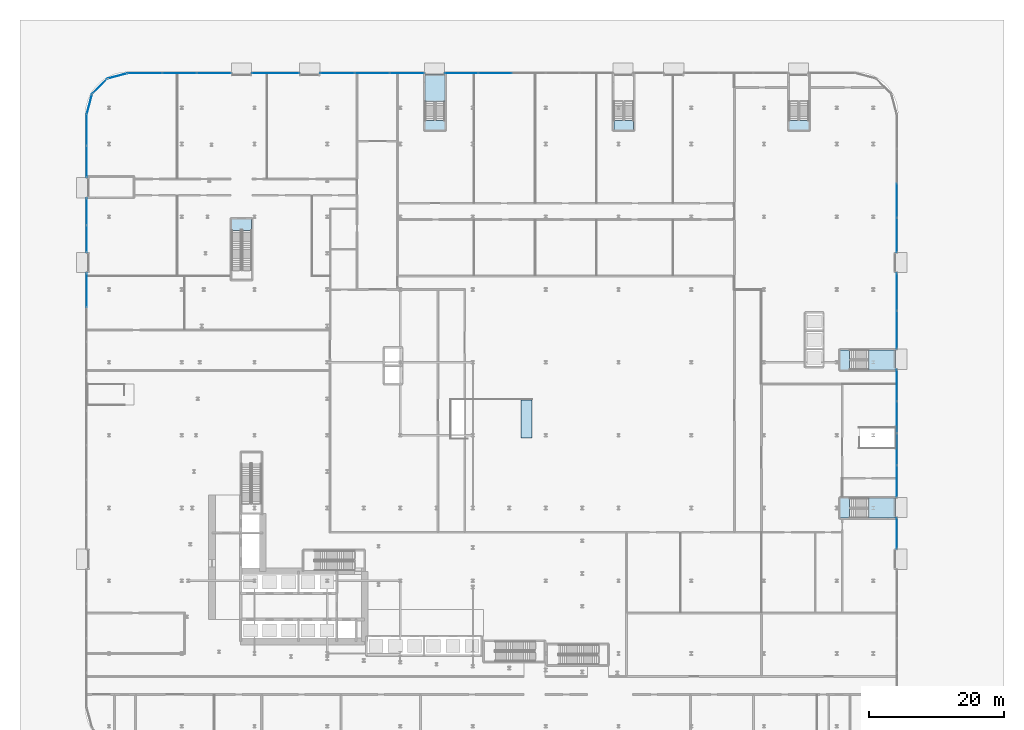
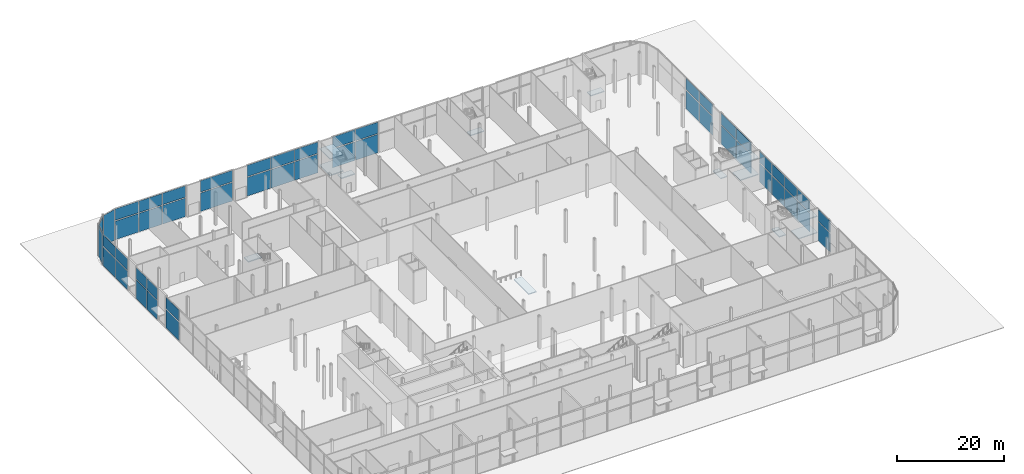
# One storey, part 21 of 46: 49 plates, 13 slabs, 20 elements without a shape of their own.
"""IFC4 building model written with IfcOpenShell, lengths in metres."""

from ifc_helpers import new_model, si_unit, direction, frame, origin, origin_2d, place, context, subcontext, project, spatial, polyline, rectangle, outline, extrude, material, layer, layer_set, type_object, element, aggregate, save


model = new_model("IFC4")

# Units and contexts
model_context = context("Model", 3, precision=1e-05, world=origin(), true_north=direction((0.0, 1.0)))
body_context = subcontext(model_context, "Body", "Model", "MODEL_VIEW")
ifc_project = project(units=[si_unit("LENGTHUNIT", "METRE"), si_unit("AREAUNIT", "SQUARE_METRE"), si_unit("VOLUMEUNIT", "CUBIC_METRE"), si_unit("PLANEANGLEUNIT", "RADIAN"), si_unit("MASSUNIT", "GRAM", prefix="KILO")], contexts=[model_context])

# Site, building, storey
site_placement = place(None, origin())
site = spatial("IfcSite", under=ifc_project, at=site_placement, CompositionType="ELEMENT")
building_placement = place(site_placement, origin())
building = spatial("IfcBuilding", under=site, at=building_placement, Name="Kheshtan School and Residences Tower", CompositionType="ELEMENT")
storey_placement = place(building_placement, origin())
storey = spatial("IfcBuildingStorey", under=building, at=storey_placement, Name="L00", CompositionType="ELEMENT", Elevation=0.0)

# Curtain wall, plate
ifc_material_1 = material(Name="Clear low-e glass in thermally broken aluminium frame", Category="aluminium")
ifc_layer_1 = layer(ifc_material_1, 0.300048828125)
ifc_layer_set_1 = layer_set([ifc_layer_1], Name="Curtain wall CW-A")
curtain_wall_type = type_object("IfcCurtainWallType", Name="Curtain wall CW-A", PredefinedType="NOTDEFINED", material=ifc_layer_set_1)
curtain_wall_1_placement = place(storey_placement, origin())
curtain_wall_1 = element("IfcCurtainWall", 1, at=curtain_wall_1_placement, inside=storey, type_object=curtain_wall_type, Name="Curtain wall CWA1", PredefinedType="NOTDEFINED")
ifc_layer_2 = layer(ifc_material_1, 0.0439453125)
ifc_layer_set_2 = layer_set([ifc_layer_2], Name="CW-A glass panel")
plate_type = type_object("IfcPlateType", Name="CW-A glass panel", PredefinedType="CURTAIN_PANEL", material=ifc_layer_set_2)
plate_1_placement = place(storey_placement, frame((12.305419921875, 105.52587890625, 0.0), z_axis=(0.0, 0.0, 1.0), x_axis=(0.258864833085, 0.965913556273, 0.0)))
plate_1 = element("IfcPlate", 2, at=plate_1_placement, type_object=plate_type, Name="CWA1 panel 1.1", PredefinedType="CURTAIN_PANEL", context=body_context, shape_type="SweptSolid", body=[
    extrude(rectangle(XDim=2.955810546875, YDim=0.0439453125, at=origin_2d()), origin(), (0.0, 0.0, 1.0), 7.050048828125),
])
aggregate(curtain_wall_1, [plate_1])

curtain_wall_2_placement = place(storey_placement, origin())
curtain_wall_2 = element("IfcCurtainWall", 3, at=curtain_wall_2_placement, inside=storey, type_object=curtain_wall_type, Name="Curtain wall CWA2", PredefinedType="NOTDEFINED")
plate_2_placement = place(storey_placement, frame((13.831298828125, 108.168701171875, 0.0), z_axis=(0.0, 0.0, 1.0), x_axis=(0.707106781187, 0.707106781187, 0.0)))
plate_2 = element("IfcPlate", 4, at=plate_2_placement, type_object=plate_type, Name="CWA2 panel 1.1", PredefinedType="CURTAIN_PANEL", context=body_context, shape_type="SweptSolid", body=[
    extrude(rectangle(XDim=2.95556640625, YDim=0.0439453125, at=origin_2d()), origin(), (0.0, 0.0, 1.0), 7.050048828125),
])
aggregate(curtain_wall_2, [plate_2])

curtain_wall_3_placement = place(storey_placement, origin())
curtain_wall_3 = element("IfcCurtainWall", 5, at=curtain_wall_3_placement, inside=storey, type_object=curtain_wall_type, Name="Curtain wall CWA3", PredefinedType="NOTDEFINED")
plate_3_placement = place(storey_placement, frame((16.47412109375, 109.694580078125, 0.0), z_axis=(0.0, 0.0, 1.0), x_axis=(0.965913556273, 0.258864833085, 0.0)))
plate_3 = element("IfcPlate", 6, at=plate_3_placement, type_object=plate_type, Name="CWA3 panel 1.1", PredefinedType="CURTAIN_PANEL", context=body_context, shape_type="SweptSolid", body=[
    extrude(rectangle(XDim=2.955810546875, YDim=0.0439453125, at=origin_2d()), origin(), (0.0, 0.0, 1.0), 7.050048828125),
])
aggregate(curtain_wall_3, [plate_3])

# Curtain wall, plates
curtain_wall_4_placement = place(storey_placement, origin())
curtain_wall_4 = element("IfcCurtainWall", 7, at=curtain_wall_4_placement, inside=storey, type_object=curtain_wall_type, Name="Curtain wall CWA4", PredefinedType="NOTDEFINED")
plate_4_placement = place(storey_placement, frame((20.531494140625, 110.10009765625, 0.0), z_axis=(0.0, 0.0, 1.0), x_axis=(1.0, 0.0, 0.0)))
plate_4 = element("IfcPlate", 8, at=plate_4_placement, type_object=plate_type, Name="CWA4 panel 1.1", PredefinedType="CURTAIN_PANEL", context=body_context, shape_type="SweptSolid", body=[
    extrude(rectangle(XDim=5.112060546875, YDim=0.0439453125, at=origin_2d()), origin(), (0.0, 0.0, 1.0), 4.25),
])
plate_5_placement = place(storey_placement, frame((20.531494140625, 110.10009765625, 4.449951171875), z_axis=(0.0, 0.0, 1.0), x_axis=(1.0, 0.0, 0.0)))
plate_5 = element("IfcPlate", 9, at=plate_5_placement, type_object=plate_type, Name="CWA4 panel 1.2", PredefinedType="CURTAIN_PANEL", context=body_context, shape_type="SweptSolid", body=[
    extrude(rectangle(XDim=5.112060546875, YDim=0.0439453125, at=origin_2d()), origin(), (0.0, 0.0, 1.0), 2.60009765625),
])
plate_6_placement = place(storey_placement, frame((25.6875, 110.10009765625, 0.0), z_axis=(0.0, 0.0, 1.0), x_axis=(1.0, 0.0, 0.0)))
plate_6 = element("IfcPlate", 10, at=plate_6_placement, type_object=plate_type, Name="CWA4 panel 2.1", PredefinedType="CURTAIN_PANEL", context=body_context, shape_type="SweptSolid", body=[
    extrude(rectangle(XDim=5.050048828125, YDim=0.0439453125, at=origin_2d()), origin(), (0.0, 0.0, 1.0), 4.25),
])
plate_7_placement = place(storey_placement, frame((25.6875, 110.10009765625, 4.449951171875), z_axis=(0.0, 0.0, 1.0), x_axis=(1.0, 0.0, 0.0)))
plate_7 = element("IfcPlate", 11, at=plate_7_placement, type_object=plate_type, Name="CWA4 panel 2.2", PredefinedType="CURTAIN_PANEL", context=body_context, shape_type="SweptSolid", body=[
    extrude(rectangle(XDim=5.050048828125, YDim=0.0439453125, at=origin_2d()), origin(), (0.0, 0.0, 1.0), 2.60009765625),
])
plate_8_placement = place(storey_placement, frame((30.793701171875, 110.10009765625, 0.0), z_axis=(0.0, 0.0, 1.0), x_axis=(1.0, 0.0, 0.0)))
plate_8 = element("IfcPlate", 12, at=plate_8_placement, type_object=plate_type, Name="CWA4 panel 3.1", PredefinedType="CURTAIN_PANEL", context=body_context, shape_type="SweptSolid", body=[
    extrude(rectangle(XDim=5.012451171875, YDim=0.0439453125, at=origin_2d()), origin(), (0.0, 0.0, 1.0), 4.25),
])
plate_9_placement = place(storey_placement, frame((30.793701171875, 110.10009765625, 4.449951171875), z_axis=(0.0, 0.0, 1.0), x_axis=(1.0, 0.0, 0.0)))
plate_9 = element("IfcPlate", 13, at=plate_9_placement, type_object=plate_type, Name="CWA4 panel 3.2", PredefinedType="CURTAIN_PANEL", context=body_context, shape_type="SweptSolid", body=[
    extrude(rectangle(XDim=5.012451171875, YDim=0.0439453125, at=origin_2d()), origin(), (0.0, 0.0, 1.0), 2.60009765625),
])
aggregate(curtain_wall_4, [plate_4, plate_5, plate_6, plate_7, plate_8, plate_9])

curtain_wall_5_placement = place(storey_placement, origin())
curtain_wall_5 = element("IfcCurtainWall", 14, at=curtain_wall_5_placement, inside=storey, type_object=curtain_wall_type, Name="Curtain wall CWA4a", PredefinedType="NOTDEFINED")
plate_10_placement = place(storey_placement, frame((39.9375, 110.10009765625, 0.0), z_axis=(0.0, 0.0, 1.0), x_axis=(1.0, 0.0, 0.0)))
plate_10 = element("IfcPlate", 15, at=plate_10_placement, type_object=plate_type, Name="CWA4a panel 1.1", PredefinedType="CURTAIN_PANEL", context=body_context, shape_type="SweptSolid", body=[
    extrude(rectangle(XDim=6.97509765625, YDim=0.0439453125, at=origin_2d()), origin(), (0.0, 0.0, 1.0), 4.25),
])
plate_11_placement = place(storey_placement, frame((39.9375, 110.10009765625, 4.449951171875), z_axis=(0.0, 0.0, 1.0), x_axis=(1.0, 0.0, 0.0)))
plate_11 = element("IfcPlate", 16, at=plate_11_placement, type_object=plate_type, Name="CWA4a panel 1.2", PredefinedType="CURTAIN_PANEL", context=body_context, shape_type="SweptSolid", body=[
    extrude(rectangle(XDim=6.97509765625, YDim=0.0439453125, at=origin_2d()), origin(), (0.0, 0.0, 1.0), 2.60009765625),
])
aggregate(curtain_wall_5, [plate_10, plate_11])

curtain_wall_6_placement = place(storey_placement, origin())
curtain_wall_6 = element("IfcCurtainWall", 17, at=curtain_wall_6_placement, inside=storey, type_object=curtain_wall_type, Name="Curtain wall CWA4b", PredefinedType="NOTDEFINED")
plate_12_placement = place(storey_placement, frame((49.100341796875, 110.10009765625, 0.0), z_axis=(0.0, 0.0, 1.0), x_axis=(1.0, 0.0, 0.0)))
plate_12 = element("IfcPlate", 18, at=plate_12_placement, type_object=plate_type, Name="CWA4b panel 1.1", PredefinedType="CURTAIN_PANEL", context=body_context, shape_type="SweptSolid", body=[
    extrude(rectangle(XDim=5.05078125, YDim=0.0439453125, at=origin_2d()), origin(), (0.0, 0.0, 1.0), 4.25),
])
plate_13_placement = place(storey_placement, frame((49.100341796875, 110.10009765625, 4.449951171875), z_axis=(0.0, 0.0, 1.0), x_axis=(1.0, 0.0, 0.0)))
plate_13 = element("IfcPlate", 19, at=plate_13_placement, type_object=plate_type, Name="CWA4b panel 1.2", PredefinedType="CURTAIN_PANEL", context=body_context, shape_type="SweptSolid", body=[
    extrude(rectangle(XDim=5.05078125, YDim=0.0439453125, at=origin_2d()), origin(), (0.0, 0.0, 1.0), 2.60009765625),
])
plate_14_placement = place(storey_placement, frame((54.2451171875, 110.10009765625, 0.0), z_axis=(0.0, 0.0, 1.0), x_axis=(1.0, 0.0, 0.0)))
plate_14 = element("IfcPlate", 20, at=plate_14_placement, type_object=plate_type, Name="CWA4b panel 2.1", PredefinedType="CURTAIN_PANEL", context=body_context, shape_type="SweptSolid", body=[
    extrude(rectangle(XDim=5.08837890625, YDim=0.0439453125, at=origin_2d()), origin(), (0.0, 0.0, 1.0), 4.25),
])
plate_15_placement = place(storey_placement, frame((54.2451171875, 110.10009765625, 4.449951171875), z_axis=(0.0, 0.0, 1.0), x_axis=(1.0, 0.0, 0.0)))
plate_15 = element("IfcPlate", 21, at=plate_15_placement, type_object=plate_type, Name="CWA4b panel 2.2", PredefinedType="CURTAIN_PANEL", context=body_context, shape_type="SweptSolid", body=[
    extrude(rectangle(XDim=5.08837890625, YDim=0.0439453125, at=origin_2d()), origin(), (0.0, 0.0, 1.0), 2.60009765625),
])
plate_16_placement = place(storey_placement, frame((59.3896484375, 110.10009765625, 0.0), z_axis=(0.0, 0.0, 1.0), x_axis=(1.0, 0.0, 0.0)))
plate_16 = element("IfcPlate", 22, at=plate_16_placement, type_object=plate_type, Name="CWA4b panel 3.1", PredefinedType="CURTAIN_PANEL", context=body_context, shape_type="SweptSolid", body=[
    extrude(rectangle(XDim=5.05078125, YDim=0.0439453125, at=origin_2d()), origin(), (0.0, 0.0, 1.0), 4.25),
])
plate_17_placement = place(storey_placement, frame((59.3896484375, 110.10009765625, 4.449951171875), z_axis=(0.0, 0.0, 1.0), x_axis=(1.0, 0.0, 0.0)))
plate_17 = element("IfcPlate", 23, at=plate_17_placement, type_object=plate_type, Name="CWA4b panel 3.2", PredefinedType="CURTAIN_PANEL", context=body_context, shape_type="SweptSolid", body=[
    extrude(rectangle(XDim=5.05078125, YDim=0.0439453125, at=origin_2d()), origin(), (0.0, 0.0, 1.0), 2.60009765625),
])
aggregate(curtain_wall_6, [plate_12, plate_13, plate_14, plate_15, plate_16, plate_17])

curtain_wall_7_placement = place(storey_placement, origin())
curtain_wall_7 = element("IfcCurtainWall", 24, at=curtain_wall_7_placement, inside=storey, type_object=curtain_wall_type, Name="Curtain wall CWA4c", PredefinedType="NOTDEFINED")
plate_18_placement = place(storey_placement, frame((67.5087890625, 110.10009765625, 0.0), z_axis=(0.0, 0.0, 1.0), x_axis=(1.0, 0.0, 0.0)))
plate_18 = element("IfcPlate", 25, at=plate_18_placement, type_object=plate_type, Name="CWA4c panel 1.1", PredefinedType="CURTAIN_PANEL", context=body_context, shape_type="SweptSolid", body=[
    extrude(rectangle(XDim=4.887451171875, YDim=0.0439453125, at=origin_2d()), origin(), (0.0, 0.0, 1.0), 4.25),
])
plate_19_placement = place(storey_placement, frame((67.5087890625, 110.10009765625, 4.449951171875), z_axis=(0.0, 0.0, 1.0), x_axis=(1.0, 0.0, 0.0)))
plate_19 = element("IfcPlate", 26, at=plate_19_placement, type_object=plate_type, Name="CWA4c panel 1.2", PredefinedType="CURTAIN_PANEL", context=body_context, shape_type="SweptSolid", body=[
    extrude(rectangle(XDim=4.887451171875, YDim=0.0439453125, at=origin_2d()), origin(), (0.0, 0.0, 1.0), 2.60009765625),
])
plate_20_placement = place(storey_placement, frame((72.489990234375, 110.10009765625, 0.0), z_axis=(0.0, 0.0, 1.0), x_axis=(1.0, 0.0, 0.0)))
plate_20 = element("IfcPlate", 27, at=plate_20_placement, type_object=plate_type, Name="CWA4c panel 2.1", PredefinedType="CURTAIN_PANEL", context=body_context, shape_type="SweptSolid", body=[
    extrude(rectangle(XDim=4.925048828125, YDim=0.0439453125, at=origin_2d()), origin(), (0.0, 0.0, 1.0), 4.25),
])
plate_21_placement = place(storey_placement, frame((72.489990234375, 110.10009765625, 4.449951171875), z_axis=(0.0, 0.0, 1.0), x_axis=(1.0, 0.0, 0.0)))
plate_21 = element("IfcPlate", 28, at=plate_21_placement, type_object=plate_type, Name="CWA4c panel 2.2", PredefinedType="CURTAIN_PANEL", context=body_context, shape_type="SweptSolid", body=[
    extrude(rectangle(XDim=4.925048828125, YDim=0.0439453125, at=origin_2d()), origin(), (0.0, 0.0, 1.0), 2.60009765625),
])
aggregate(curtain_wall_7, [plate_18, plate_19, plate_20, plate_21])

curtain_wall_8_placement = place(storey_placement, origin())
curtain_wall_8 = element("IfcCurtainWall", 29, at=curtain_wall_8_placement, inside=storey, type_object=curtain_wall_type, Name="Curtain wall CWA8", PredefinedType="NOTDEFINED")
plate_22_placement = place(storey_placement, frame((132.10009765625, 91.1875, 0.0), z_axis=(0.0, 0.0, 1.0), x_axis=(0.0, -1.0, 0.0)))
plate_22 = element("IfcPlate", 30, at=plate_22_placement, type_object=plate_type, Name="CWA8 panel 3.1", PredefinedType="CURTAIN_PANEL", context=body_context, shape_type="SweptSolid", body=[
    extrude(rectangle(XDim=5.050048828125, YDim=0.0439453125, at=origin_2d()), origin(), (0.0, 0.0, 1.0), 4.25),
])
plate_23_placement = place(storey_placement, frame((132.10009765625, 91.1875, 4.449951171875), z_axis=(0.0, 0.0, 1.0), x_axis=(0.0, -1.0, 0.0)))
plate_23 = element("IfcPlate", 31, at=plate_23_placement, type_object=plate_type, Name="CWA8 panel 3.2", PredefinedType="CURTAIN_PANEL", context=body_context, shape_type="SweptSolid", body=[
    extrude(rectangle(XDim=5.050048828125, YDim=0.0439453125, at=origin_2d()), origin(), (0.0, 0.0, 1.0), 2.60009765625),
])
plate_24_placement = place(storey_placement, frame((132.10009765625, 86.081298828125, 0.0), z_axis=(0.0, 0.0, 1.0), x_axis=(0.0, -1.0, 0.0)))
plate_24 = element("IfcPlate", 32, at=plate_24_placement, type_object=plate_type, Name="CWA8 panel 4.1", PredefinedType="CURTAIN_PANEL", context=body_context, shape_type="SweptSolid", body=[
    extrude(rectangle(XDim=5.012451171875, YDim=0.0439453125, at=origin_2d()), origin(), (0.0, 0.0, 1.0), 4.25),
])
plate_25_placement = place(storey_placement, frame((132.10009765625, 86.081298828125, 4.449951171875), z_axis=(0.0, 0.0, 1.0), x_axis=(0.0, -1.0, 0.0)))
plate_25 = element("IfcPlate", 33, at=plate_25_placement, type_object=plate_type, Name="CWA8 panel 4.2", PredefinedType="CURTAIN_PANEL", context=body_context, shape_type="SweptSolid", body=[
    extrude(rectangle(XDim=5.012451171875, YDim=0.0439453125, at=origin_2d()), origin(), (0.0, 0.0, 1.0), 2.60009765625),
])
aggregate(curtain_wall_8, [plate_22, plate_23, plate_24, plate_25])

curtain_wall_9_placement = place(storey_placement, origin())
curtain_wall_9 = element("IfcCurtainWall", 34, at=curtain_wall_9_placement, inside=storey, type_object=curtain_wall_type, Name="Curtain wall CWA8a", PredefinedType="NOTDEFINED")
plate_26_placement = place(storey_placement, frame((132.10009765625, 77.646240234375, 0.0), z_axis=(0.0, 0.0, 1.0), x_axis=(0.0, -1.0, 0.0)))
plate_26 = element("IfcPlate", 35, at=plate_26_placement, type_object=plate_type, Name="CWA8a panel 1.1", PredefinedType="CURTAIN_PANEL", context=body_context, shape_type="SweptSolid", body=[
    extrude(rectangle(XDim=5.5576171875, YDim=0.0439453125, at=origin_2d()), origin(), (0.0, 0.0, 1.0), 4.25),
])
plate_27_placement = place(storey_placement, frame((132.10009765625, 77.646240234375, 4.449951171875), z_axis=(0.0, 0.0, 1.0), x_axis=(0.0, -1.0, 0.0)))
plate_27 = element("IfcPlate", 36, at=plate_27_placement, type_object=plate_type, Name="CWA8a panel 1.2", PredefinedType="CURTAIN_PANEL", context=body_context, shape_type="SweptSolid", body=[
    extrude(rectangle(XDim=5.5576171875, YDim=0.0439453125, at=origin_2d()), origin(), (0.0, 0.0, 1.0), 2.60009765625),
])
plate_28_placement = place(storey_placement, frame((132.10009765625, 72.013671875, 0.0), z_axis=(0.0, 0.0, 1.0), x_axis=(0.0, -1.0, 0.0)))
plate_28 = element("IfcPlate", 37, at=plate_28_placement, type_object=plate_type, Name="CWA8a panel 2.1", PredefinedType="CURTAIN_PANEL", context=body_context, shape_type="SweptSolid", body=[
    extrude(rectangle(XDim=5.5576171875, YDim=0.0439453125, at=origin_2d()), origin(), (0.0, 0.0, 1.0), 4.25),
])
plate_29_placement = place(storey_placement, frame((132.10009765625, 72.013671875, 4.449951171875), z_axis=(0.0, 0.0, 1.0), x_axis=(0.0, -1.0, 0.0)))
plate_29 = element("IfcPlate", 38, at=plate_29_placement, type_object=plate_type, Name="CWA8a panel 2.2", PredefinedType="CURTAIN_PANEL", context=body_context, shape_type="SweptSolid", body=[
    extrude(rectangle(XDim=5.5576171875, YDim=0.0439453125, at=origin_2d()), origin(), (0.0, 0.0, 1.0), 2.60009765625),
])
aggregate(curtain_wall_9, [plate_26, plate_27, plate_28, plate_29])

curtain_wall_10_placement = place(storey_placement, origin())
curtain_wall_10 = element("IfcCurtainWall", 39, at=curtain_wall_10_placement, inside=storey, type_object=curtain_wall_type, Name="Curtain wall CWA8b", PredefinedType="NOTDEFINED")
plate_30_placement = place(storey_placement, frame((132.10009765625, 63.766357421875, 0.0), z_axis=(0.0, 0.0, 1.0), x_axis=(0.0, -1.0, 0.0)))
plate_30 = element("IfcPlate", 40, at=plate_30_placement, type_object=plate_type, Name="CWA8b panel 1.1", PredefinedType="CURTAIN_PANEL", context=body_context, shape_type="SweptSolid", body=[
    extrude(rectangle(XDim=4.637451171875, YDim=0.0439453125, at=origin_2d()), origin(), (0.0, 0.0, 1.0), 4.25),
])
plate_31_placement = place(storey_placement, frame((132.10009765625, 63.766357421875, 4.449951171875), z_axis=(0.0, 0.0, 1.0), x_axis=(0.0, -1.0, 0.0)))
plate_31 = element("IfcPlate", 41, at=plate_31_placement, type_object=plate_type, Name="CWA8b panel 1.2", PredefinedType="CURTAIN_PANEL", context=body_context, shape_type="SweptSolid", body=[
    extrude(rectangle(XDim=4.637451171875, YDim=0.0439453125, at=origin_2d()), origin(), (0.0, 0.0, 1.0), 2.60009765625),
])
plate_32_placement = place(storey_placement, frame((132.10009765625, 59.034912109375, 0.0), z_axis=(0.0, 0.0, 1.0), x_axis=(0.0, -1.0, 0.0)))
plate_32 = element("IfcPlate", 42, at=plate_32_placement, type_object=plate_type, Name="CWA8b panel 2.1", PredefinedType="CURTAIN_PANEL", context=body_context, shape_type="SweptSolid", body=[
    extrude(rectangle(XDim=4.675048828125, YDim=0.0439453125, at=origin_2d()), origin(), (0.0, 0.0, 1.0), 4.25),
])
plate_33_placement = place(storey_placement, frame((132.10009765625, 59.034912109375, 4.449951171875), z_axis=(0.0, 0.0, 1.0), x_axis=(0.0, -1.0, 0.0)))
plate_33 = element("IfcPlate", 43, at=plate_33_placement, type_object=plate_type, Name="CWA8b panel 2.2", PredefinedType="CURTAIN_PANEL", context=body_context, shape_type="SweptSolid", body=[
    extrude(rectangle(XDim=4.675048828125, YDim=0.0439453125, at=origin_2d()), origin(), (0.0, 0.0, 1.0), 2.60009765625),
])
plate_34_placement = place(storey_placement, frame((132.10009765625, 54.284912109375, 0.0), z_axis=(0.0, 0.0, 1.0), x_axis=(0.0, -1.0, 0.0)))
plate_34 = element("IfcPlate", 44, at=plate_34_placement, type_object=plate_type, Name="CWA8b panel 3.1", PredefinedType="CURTAIN_PANEL", context=body_context, shape_type="SweptSolid", body=[
    extrude(rectangle(XDim=4.675048828125, YDim=0.0439453125, at=origin_2d()), origin(), (0.0, 0.0, 1.0), 4.25),
])
plate_35_placement = place(storey_placement, frame((132.10009765625, 54.284912109375, 4.449951171875), z_axis=(0.0, 0.0, 1.0), x_axis=(0.0, -1.0, 0.0)))
plate_35 = element("IfcPlate", 45, at=plate_35_placement, type_object=plate_type, Name="CWA8b panel 3.2", PredefinedType="CURTAIN_PANEL", context=body_context, shape_type="SweptSolid", body=[
    extrude(rectangle(XDim=4.675048828125, YDim=0.0439453125, at=origin_2d()), origin(), (0.0, 0.0, 1.0), 2.60009765625),
])
plate_36_placement = place(storey_placement, frame((132.10009765625, 49.5537109375, 0.0), z_axis=(0.0, 0.0, 1.0), x_axis=(0.0, -1.0, 0.0)))
plate_36 = element("IfcPlate", 46, at=plate_36_placement, type_object=plate_type, Name="CWA8b panel 4.1", PredefinedType="CURTAIN_PANEL", context=body_context, shape_type="SweptSolid", body=[
    extrude(rectangle(XDim=4.637451171875, YDim=0.0439453125, at=origin_2d()), origin(), (0.0, 0.0, 1.0), 4.25),
])
plate_37_placement = place(storey_placement, frame((132.10009765625, 49.5537109375, 4.449951171875), z_axis=(0.0, 0.0, 1.0), x_axis=(0.0, -1.0, 0.0)))
plate_37 = element("IfcPlate", 47, at=plate_37_placement, type_object=plate_type, Name="CWA8b panel 4.2", PredefinedType="CURTAIN_PANEL", context=body_context, shape_type="SweptSolid", body=[
    extrude(rectangle(XDim=4.637451171875, YDim=0.0439453125, at=origin_2d()), origin(), (0.0, 0.0, 1.0), 2.60009765625),
])
aggregate(curtain_wall_10, [plate_30, plate_31, plate_32, plate_33, plate_34, plate_35, plate_36, plate_37])

curtain_wall_11_placement = place(storey_placement, origin())
curtain_wall_11 = element("IfcCurtainWall", 48, at=curtain_wall_11_placement, inside=storey, type_object=curtain_wall_type, Name="Curtain wall CWA8c", PredefinedType="NOTDEFINED")
plate_38_placement = place(storey_placement, frame((132.10009765625, 41.830078125, 0.0), z_axis=(0.0, 0.0, 1.0), x_axis=(0.0, -1.0, 0.0)))
plate_38 = element("IfcPlate", 49, at=plate_38_placement, type_object=plate_type, Name="CWA8c panel 1.1", PredefinedType="CURTAIN_PANEL", context=body_context, shape_type="SweptSolid", body=[
    extrude(rectangle(XDim=4.510009765625, YDim=0.0439453125, at=origin_2d()), origin(), (0.0, 0.0, 1.0), 4.25),
])
plate_39_placement = place(storey_placement, frame((132.10009765625, 41.830078125, 4.449951171875), z_axis=(0.0, 0.0, 1.0), x_axis=(0.0, -1.0, 0.0)))
plate_39 = element("IfcPlate", 50, at=plate_39_placement, type_object=plate_type, Name="CWA8c panel 1.2", PredefinedType="CURTAIN_PANEL", context=body_context, shape_type="SweptSolid", body=[
    extrude(rectangle(XDim=4.510009765625, YDim=0.0439453125, at=origin_2d()), origin(), (0.0, 0.0, 1.0), 2.60009765625),
])
aggregate(curtain_wall_11, [plate_38, plate_39])

curtain_wall_12_placement = place(storey_placement, origin())
curtain_wall_12 = element("IfcCurtainWall", 51, at=curtain_wall_12_placement, inside=storey, type_object=curtain_wall_type, Name="Curtain wall CWA16a", PredefinedType="NOTDEFINED")
plate_40_placement = place(storey_placement, frame((11.89990234375, 77.918701171875, 0.0), z_axis=(0.0, 0.0, 1.0), x_axis=(0.0, 1.0, 0.0)))
plate_40 = element("IfcPlate", 52, at=plate_40_placement, type_object=plate_type, Name="CWA16a panel 8.1", PredefinedType="CURTAIN_PANEL", context=body_context, shape_type="SweptSolid", body=[
    extrude(rectangle(XDim=5.012451171875, YDim=0.0439453125, at=origin_2d()), origin(), (0.0, 0.0, 1.0), 4.25),
])
plate_41_placement = place(storey_placement, frame((11.89990234375, 77.918701171875, 4.449951171875), z_axis=(0.0, 0.0, 1.0), x_axis=(0.0, 1.0, 0.0)))
plate_41 = element("IfcPlate", 53, at=plate_41_placement, type_object=plate_type, Name="CWA16a panel 8.2", PredefinedType="CURTAIN_PANEL", context=body_context, shape_type="SweptSolid", body=[
    extrude(rectangle(XDim=5.012451171875, YDim=0.0439453125, at=origin_2d()), origin(), (0.0, 0.0, 1.0), 2.60009765625),
])
aggregate(curtain_wall_12, [plate_40, plate_41])

curtain_wall_13_placement = place(storey_placement, origin())
curtain_wall_13 = element("IfcCurtainWall", 54, at=curtain_wall_13_placement, inside=storey, type_object=curtain_wall_type, Name="Curtain wall CWA16b", PredefinedType="NOTDEFINED")
plate_42_placement = place(storey_placement, frame((11.89990234375, 85.547607421875, 0.0), z_axis=(0.0, 0.0, 1.0), x_axis=(0.0, 1.0, 0.0)))
plate_42 = element("IfcPlate", 55, at=plate_42_placement, type_object=plate_type, Name="CWA16b panel 1.1", PredefinedType="CURTAIN_PANEL", context=body_context, shape_type="SweptSolid", body=[
    extrude(rectangle(XDim=3.945068359375, YDim=0.0439453125, at=origin_2d()), origin(), (0.0, 0.0, 1.0), 4.25),
])
plate_43_placement = place(storey_placement, frame((11.89990234375, 85.547607421875, 4.449951171875), z_axis=(0.0, 0.0, 1.0), x_axis=(0.0, 1.0, 0.0)))
plate_43 = element("IfcPlate", 56, at=plate_43_placement, type_object=plate_type, Name="CWA16b panel 1.2", PredefinedType="CURTAIN_PANEL", context=body_context, shape_type="SweptSolid", body=[
    extrude(rectangle(XDim=3.945068359375, YDim=0.0439453125, at=origin_2d()), origin(), (0.0, 0.0, 1.0), 2.60009765625),
])
plate_44_placement = place(storey_placement, frame((11.89990234375, 89.5673828125, 0.0), z_axis=(0.0, 0.0, 1.0), x_axis=(0.0, 1.0, 0.0)))
plate_44 = element("IfcPlate", 57, at=plate_44_placement, type_object=plate_type, Name="CWA16b panel 2.1", PredefinedType="CURTAIN_PANEL", context=body_context, shape_type="SweptSolid", body=[
    extrude(rectangle(XDim=3.945068359375, YDim=0.0439453125, at=origin_2d()), origin(), (0.0, 0.0, 1.0), 4.25),
])
plate_45_placement = place(storey_placement, frame((11.89990234375, 89.5673828125, 4.449951171875), z_axis=(0.0, 0.0, 1.0), x_axis=(0.0, 1.0, 0.0)))
plate_45 = element("IfcPlate", 58, at=plate_45_placement, type_object=plate_type, Name="CWA16b panel 2.2", PredefinedType="CURTAIN_PANEL", context=body_context, shape_type="SweptSolid", body=[
    extrude(rectangle(XDim=3.945068359375, YDim=0.0439453125, at=origin_2d()), origin(), (0.0, 0.0, 1.0), 2.60009765625),
])
aggregate(curtain_wall_13, [plate_42, plate_43, plate_44, plate_45])

curtain_wall_14_placement = place(storey_placement, origin())
curtain_wall_14 = element("IfcCurtainWall", 59, at=curtain_wall_14_placement, inside=storey, type_object=curtain_wall_type, Name="Curtain wall CWA16c", PredefinedType="NOTDEFINED")
plate_46_placement = place(storey_placement, frame((11.89990234375, 96.97998046875, 0.0), z_axis=(0.0, 0.0, 1.0), x_axis=(0.0, 1.0, 0.0)))
plate_46 = element("IfcPlate", 60, at=plate_46_placement, type_object=plate_type, Name="CWA16c panel 1.1", PredefinedType="CURTAIN_PANEL", context=body_context, shape_type="SweptSolid", body=[
    extrude(rectangle(XDim=4.580078125, YDim=0.0439453125, at=origin_2d()), origin(), (0.0, 0.0, 1.0), 4.25),
])
plate_47_placement = place(storey_placement, frame((11.89990234375, 96.97998046875, 4.449951171875), z_axis=(0.0, 0.0, 1.0), x_axis=(0.0, 1.0, 0.0)))
plate_47 = element("IfcPlate", 61, at=plate_47_placement, type_object=plate_type, Name="CWA16c panel 1.2", PredefinedType="CURTAIN_PANEL", context=body_context, shape_type="SweptSolid", body=[
    extrude(rectangle(XDim=4.580078125, YDim=0.0439453125, at=origin_2d()), origin(), (0.0, 0.0, 1.0), 2.60009765625),
])
plate_48_placement = place(storey_placement, frame((11.89990234375, 101.684814453125, 0.0), z_axis=(0.0, 0.0, 1.0), x_axis=(0.0, 1.0, 0.0)))
plate_48 = element("IfcPlate", 62, at=plate_48_placement, type_object=plate_type, Name="CWA16c panel 2.1", PredefinedType="CURTAIN_PANEL", context=body_context, shape_type="SweptSolid", body=[
    extrude(rectangle(XDim=4.6796875, YDim=0.0439453125, at=origin_2d()), origin(), (0.0, 0.0, 1.0), 4.25),
])
plate_49_placement = place(storey_placement, frame((11.89990234375, 101.684814453125, 4.449951171875), z_axis=(0.0, 0.0, 1.0), x_axis=(0.0, 1.0, 0.0)))
plate_49 = element("IfcPlate", 63, at=plate_49_placement, type_object=plate_type, Name="CWA16c panel 2.2", PredefinedType="CURTAIN_PANEL", context=body_context, shape_type="SweptSolid", body=[
    extrude(rectangle(XDim=4.6796875, YDim=0.0439453125, at=origin_2d()), origin(), (0.0, 0.0, 1.0), 2.60009765625),
])
aggregate(curtain_wall_14, [plate_46, plate_47, plate_48, plate_49])

# Slab
ifc_material_2 = material(Name="Concrete C40/50", Category="concrete")
ifc_layer_3 = layer(ifc_material_2, 0.199951171875)
ifc_layer_set_3 = layer_set([ifc_layer_3], Name="Escalator landing plate 200 Concrete C40/50")
slab_type_1 = type_object("IfcSlabType", Name="Escalator landing plate 200 Concrete C40/50", PredefinedType="LANDING", material=ifc_layer_set_3)
slab_1_placement = place(storey_placement, frame((0.0, 0.0, -0.199951171875)))
element("IfcSlab", 64, at=slab_1_placement, inside=storey, type_object=slab_type_1, Name="Escalator landing plate L00", PredefinedType="LANDING", context=body_context, shape_type="SweptSolid", body=[
    extrude(outline(polyline([(76.330078125, 56.0), (78.0, 56.0), (78.0, 61.60009765625), (76.330078125, 61.60009765625), (76.330078125, 56.0)])), origin(), (0.0, 0.0, 1.0), 0.199951171875),
])

# Stair, slab
stair_type = type_object("IfcStairType", Name="Exit stair, half-turn", PredefinedType="HALF_TURN_STAIR", material=ifc_material_2)
stair_1_placement = place(storey_placement, origin())
stair_1 = element("IfcStair", 65, at=stair_1_placement, inside=storey, type_object=stair_type, Name="L00 Protected Exit Stair ST3", PredefinedType="HALF_TURN_STAIR")
ifc_layer_4 = layer(ifc_material_2, 0.199951171875)
ifc_layer_set_4 = layer_set([ifc_layer_4], Name="Stair landing 200 Concrete C40/50")
slab_type_2 = type_object("IfcSlabType", Name="Stair landing 200 Concrete C40/50", PredefinedType="LANDING", material=ifc_layer_set_4)
slab_2_placement = place(storey_placement, frame((0.0, 0.0, 3.550048828125)))
slab_2 = element("IfcSlab", 66, at=slab_2_placement, type_object=slab_type_2, Name="ST3 landing 1", PredefinedType="LANDING", context=body_context, shape_type="SweptSolid", body=[
    extrude(outline(polyline([(36.35009765625, 86.780029296875), (36.35009765625, 88.4599609375), (33.39990234375, 88.4599609375), (33.39990234375, 86.780029296875), (36.35009765625, 86.780029296875)])), origin(), (0.0, 0.0, 1.0), 0.199951171875),
])
aggregate(stair_1, [slab_2])

# Stair, slabs
stair_2_placement = place(storey_placement, origin())
stair_2 = element("IfcStair", 67, at=stair_2_placement, inside=storey, type_object=stair_type, Name="L00 School Exit Stair 062-102", PredefinedType="HALF_TURN_STAIR")
slab_3_placement = place(storey_placement, frame((0.0, 0.0, 1.675048828125)))
slab_3 = element("IfcSlab", 68, at=slab_3_placement, type_object=slab_type_2, Name="PS-062-102 landing 1", PredefinedType="LANDING", context=body_context, shape_type="SweptSolid", body=[
    extrude(outline(polyline([(65.050048828125, 105.89990234375), (65.050048828125, 109.89990234375), (62.10009765625, 109.89990234375), (62.10009765625, 105.89990234375), (65.050048828125, 105.89990234375)])), origin(), (0.0, 0.0, 1.0), 0.199951171875),
])
slab_4_placement = place(storey_placement, frame((0.0, 0.0, 3.550048828125)))
slab_4 = element("IfcSlab", 69, at=slab_4_placement, type_object=slab_type_2, Name="PS-062-102 landing 2", PredefinedType="LANDING", context=body_context, shape_type="SweptSolid", body=[
    extrude(outline(polyline([(65.050048828125, 101.699951171875), (65.050048828125, 103.10009765625), (62.10009765625, 103.10009765625), (62.10009765625, 101.699951171875), (65.050048828125, 101.699951171875)])), origin(), (0.0, 0.0, 1.0), 0.199951171875),
])
slab_5_placement = place(storey_placement, frame((0.0, 0.0, 5.425048828125)))
slab_5 = element("IfcSlab", 70, at=slab_5_placement, type_object=slab_type_2, Name="PS-062-102 landing 3", PredefinedType="LANDING", context=body_context, shape_type="SweptSolid", body=[
    extrude(outline(polyline([(65.050048828125, 105.89990234375), (65.050048828125, 109.89990234375), (62.10009765625, 109.89990234375), (62.10009765625, 105.89990234375), (65.050048828125, 105.89990234375)])), origin(), (0.0, 0.0, 1.0), 0.199951171875),
])
aggregate(stair_2, [slab_3, slab_4, slab_5])

# Stair, slab
stair_3_placement = place(storey_placement, origin())
stair_3 = element("IfcStair", 71, at=stair_3_placement, inside=storey, type_object=stair_type, Name="L00 School Exit Stair 090-102", PredefinedType="HALF_TURN_STAIR")
slab_6_placement = place(storey_placement, frame((0.0, 0.0, 3.550048828125)))
slab_6 = element("IfcSlab", 72, at=slab_6_placement, type_object=slab_type_2, Name="PS-090-102 landing 2", PredefinedType="LANDING", context=body_context, shape_type="SweptSolid", body=[
    extrude(outline(polyline([(93.050048828125, 101.699951171875), (93.050048828125, 103.10009765625), (90.10009765625, 103.10009765625), (90.10009765625, 101.699951171875), (93.050048828125, 101.699951171875)])), origin(), (0.0, 0.0, 1.0), 0.199951171875),
])
aggregate(stair_3, [slab_6])

stair_4_placement = place(storey_placement, origin())
stair_4 = element("IfcStair", 73, at=stair_4_placement, inside=storey, type_object=stair_type, Name="L00 School Exit Stair 116-102", PredefinedType="HALF_TURN_STAIR")
slab_7_placement = place(storey_placement, frame((0.0, 0.0, 3.550048828125)))
slab_7 = element("IfcSlab", 74, at=slab_7_placement, type_object=slab_type_2, Name="PS-116-102 landing 2", PredefinedType="LANDING", context=body_context, shape_type="SweptSolid", body=[
    extrude(outline(polyline([(119.050048828125, 101.699951171875), (119.050048828125, 103.10009765625), (116.10009765625, 103.10009765625), (116.10009765625, 101.699951171875), (119.050048828125, 101.699951171875)])), origin(), (0.0, 0.0, 1.0), 0.199951171875),
])
aggregate(stair_4, [slab_7])

# Stair, slabs
stair_5_placement = place(storey_placement, origin())
stair_5 = element("IfcStair", 75, at=stair_5_placement, inside=storey, type_object=stair_type, Name="L00 School Exit Stair 124-044", PredefinedType="HALF_TURN_STAIR")
slab_8_placement = place(storey_placement, frame((0.0, 0.0, 1.675048828125)))
slab_8 = element("IfcSlab", 76, at=slab_8_placement, type_object=slab_type_2, Name="PS-124-044 landing 1", PredefinedType="LANDING", context=body_context, shape_type="SweptSolid", body=[
    extrude(outline(polyline([(127.89990234375, 44.10009765625), (131.89990234375, 44.10009765625), (131.89990234375, 47.050048828125), (127.89990234375, 47.050048828125), (127.89990234375, 44.10009765625)])), origin(), (0.0, 0.0, 1.0), 0.199951171875),
])
slab_9_placement = place(storey_placement, frame((0.0, 0.0, 3.550048828125)))
slab_9 = element("IfcSlab", 77, at=slab_9_placement, type_object=slab_type_2, Name="PS-124-044 landing 2", PredefinedType="LANDING", context=body_context, shape_type="SweptSolid", body=[
    extrude(outline(polyline([(123.699951171875, 44.10009765625), (125.10009765625, 44.10009765625), (125.10009765625, 47.050048828125), (123.699951171875, 47.050048828125), (123.699951171875, 44.10009765625)])), origin(), (0.0, 0.0, 1.0), 0.199951171875),
])
slab_10_placement = place(storey_placement, frame((0.0, 0.0, 5.425048828125)))
slab_10 = element("IfcSlab", 78, at=slab_10_placement, type_object=slab_type_2, Name="PS-124-044 landing 3", PredefinedType="LANDING", context=body_context, shape_type="SweptSolid", body=[
    extrude(outline(polyline([(127.89990234375, 44.10009765625), (131.89990234375, 44.10009765625), (131.89990234375, 47.050048828125), (127.89990234375, 47.050048828125), (127.89990234375, 44.10009765625)])), origin(), (0.0, 0.0, 1.0), 0.199951171875),
])
aggregate(stair_5, [slab_8, slab_9, slab_10])

stair_6_placement = place(storey_placement, origin())
stair_6 = element("IfcStair", 79, at=stair_6_placement, inside=storey, type_object=stair_type, Name="L00 School Exit Stair 124-066", PredefinedType="HALF_TURN_STAIR")
slab_11_placement = place(storey_placement, frame((0.0, 0.0, 1.675048828125)))
slab_11 = element("IfcSlab", 80, at=slab_11_placement, type_object=slab_type_2, Name="PS-124-066 landing 1", PredefinedType="LANDING", context=body_context, shape_type="SweptSolid", body=[
    extrude(outline(polyline([(127.89990234375, 66.10009765625), (131.89990234375, 66.10009765625), (131.89990234375, 69.050048828125), (127.89990234375, 69.050048828125), (127.89990234375, 66.10009765625)])), origin(), (0.0, 0.0, 1.0), 0.199951171875),
])
slab_12_placement = place(storey_placement, frame((0.0, 0.0, 3.550048828125)))
slab_12 = element("IfcSlab", 81, at=slab_12_placement, type_object=slab_type_2, Name="PS-124-066 landing 2", PredefinedType="LANDING", context=body_context, shape_type="SweptSolid", body=[
    extrude(outline(polyline([(123.699951171875, 66.10009765625), (125.10009765625, 66.10009765625), (125.10009765625, 69.050048828125), (123.699951171875, 69.050048828125), (123.699951171875, 66.10009765625)])), origin(), (0.0, 0.0, 1.0), 0.199951171875),
])
slab_13_placement = place(storey_placement, frame((0.0, 0.0, 5.425048828125)))
slab_13 = element("IfcSlab", 82, at=slab_13_placement, type_object=slab_type_2, Name="PS-124-066 landing 3", PredefinedType="LANDING", context=body_context, shape_type="SweptSolid", body=[
    extrude(outline(polyline([(127.89990234375, 66.10009765625), (131.89990234375, 66.10009765625), (131.89990234375, 69.050048828125), (127.89990234375, 69.050048828125), (127.89990234375, 66.10009765625)])), origin(), (0.0, 0.0, 1.0), 0.199951171875),
])
aggregate(stair_6, [slab_11, slab_12, slab_13])

save(model, "model.ifc")
